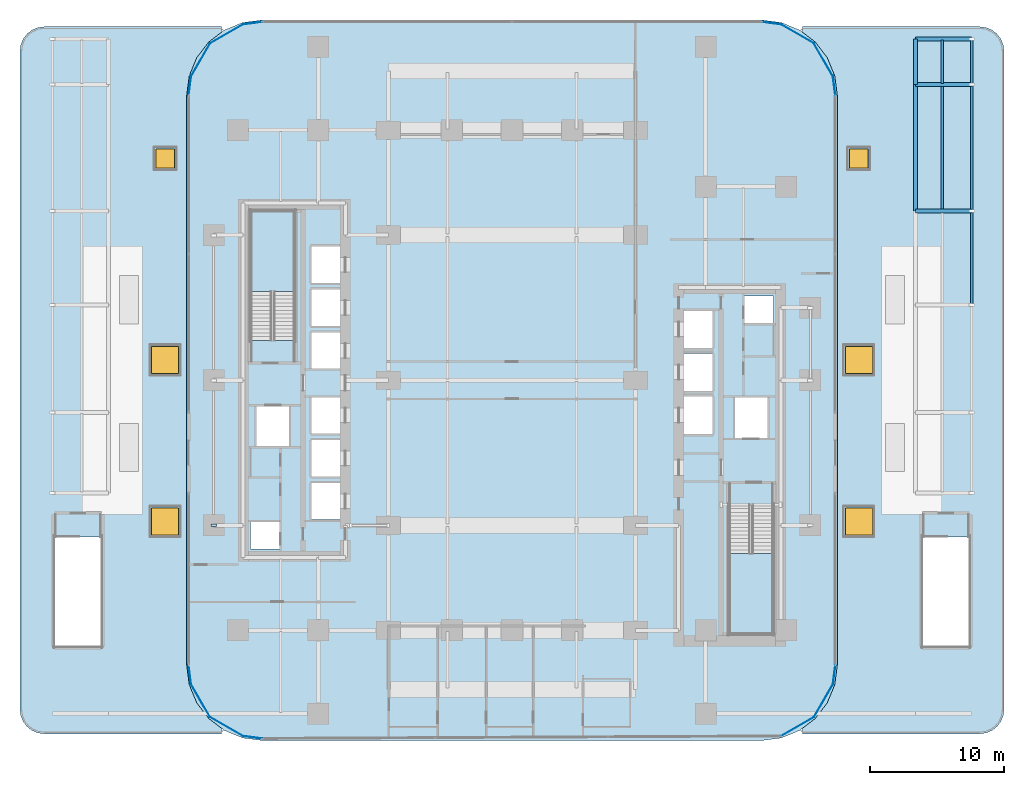
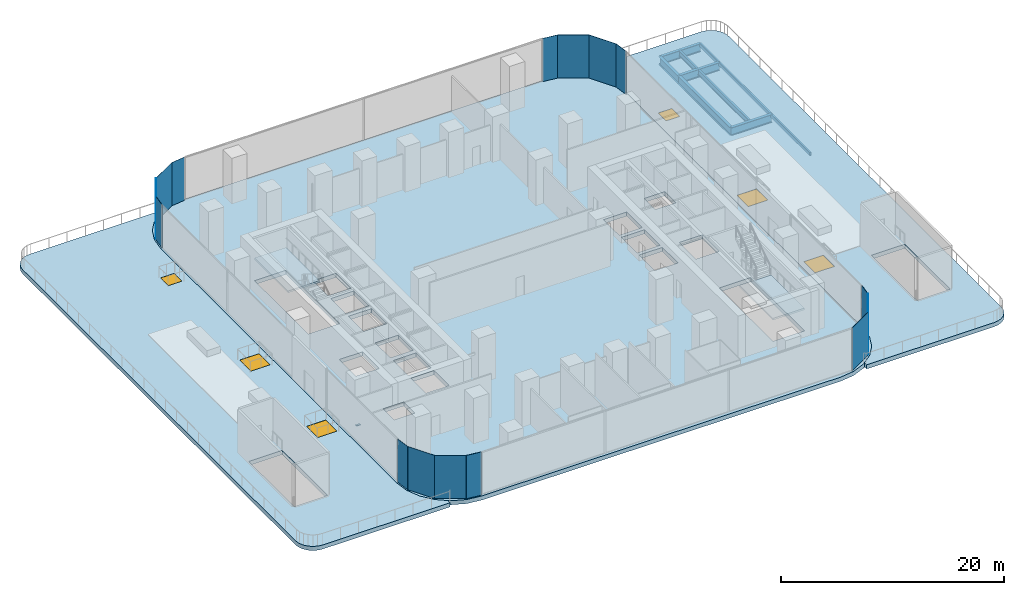
# One storey, part 3 of 21: 16 plates, 10 beams, 6 windows, 5 slabs, 6 openings, 2 elements without a shape of their own.
"""IFC4 building model written with IfcOpenShell, lengths in metres."""

import ifcopenshell
import ifcopenshell.guid

model = None  # the IFC model being written
_history = None  # IfcOwnerHistory: only IFC2X3 demands one
_inside = {}  # id of a spatial element -> (the spatial element, [elements in it])
_under = {}  # id of a project, library or spatial element -> (it, [spatial elements below it])
_declared = {}  # id of a project -> (the project, [libraries it declares])
_typed = {}  # id of a type object -> (the type object, [elements of that type])
_made_of = {}  # id of a material, layer set ... -> (it, [elements and type objects made of it])


def new_model(schema):
    """Start an empty IFC model of exactly this schema.

    Asked for "IFC4X3", IfcOpenShell would pick the latest addendum, in which some entities
    have other attributes; the version numbers below select the first issue.
    IFC2X3 requires an IfcOwnerHistory on every rooted entity: one is made here for all.
    """
    global model, _history
    if schema == "IFC4X3":
        model = ifcopenshell.file(schema_version=(4, 3, 0, 0))
    else:
        model = ifcopenshell.file(schema=schema)
    _inside.clear()
    _under.clear()
    _declared.clear()
    _typed.clear()
    _made_of.clear()
    _history = None
    if model.schema == "IFC2X3":
        org = make("IfcOrganization", Name="unknown")
        user = make(
            "IfcPersonAndOrganization",
            ThePerson=make("IfcPerson", FamilyName="unknown"),
            TheOrganization=org,
        )
        app = make(
            "IfcApplication",
            ApplicationDeveloper=org,
            Version="unknown",
            ApplicationFullName="unknown",
            ApplicationIdentifier="unknown",
        )
        _history = make(
            "IfcOwnerHistory",
            OwningUser=user,
            OwningApplication=app,
            ChangeAction="ADDED",
            CreationDate=0,
        )
    return model


def make(cls, **values):
    """One entity of the class cls with the attributes given. An attribute that is None is left unset."""
    return model.create_entity(
        cls, **{name: value for name, value in values.items() if value is not None}
    )


def rooted(cls, **values):
    """An entity with a GlobalId (a new one), such as an element, a storey or a relation."""
    return make(cls, GlobalId=ifcopenshell.guid.new(), OwnerHistory=_history, **values)


def si_unit(unit_type, name, prefix=None):
    """IfcSIUnit, for example si_unit("LENGTHUNIT", "METRE", prefix="MILLI")."""
    return make("IfcSIUnit", UnitType=unit_type, Prefix=prefix, Name=name)


def assignment(units):
    """IfcUnitAssignment: the units of a project."""
    return None if units is None else make("IfcUnitAssignment", Units=units)


def point(xyz):
    """IfcCartesianPoint."""
    return None if xyz is None else make("IfcCartesianPoint", Coordinates=xyz)


def direction(xyz):
    """IfcDirection."""
    return None if xyz is None else make("IfcDirection", DirectionRatios=xyz)


def frame(location, z_axis=None, x_axis=None):
    """IfcAxis2Placement3D, a coordinate frame: its origin and axes. An axis left out is left unset."""
    return make(
        "IfcAxis2Placement3D",
        Location=point(location),
        Axis=direction(z_axis),
        RefDirection=direction(x_axis),
    )


def frame_2d(location, x_axis=None):
    """IfcAxis2Placement2D, a coordinate frame in the plane: its origin and x axis."""
    return make(
        "IfcAxis2Placement2D", Location=point(location), RefDirection=direction(x_axis)
    )


def origin():
    """The frame at (0, 0, 0) with its axes left unset."""
    return frame((0.0, 0.0, 0.0))


def origin_2d():
    """The frame at (0, 0) in the plane with its x axis left unset."""
    return frame_2d((0.0, 0.0))


def place(relative_to, where):
    """IfcLocalPlacement: puts the frame where relative to a parent placement (None: the world)."""
    return make(
        "IfcLocalPlacement", PlacementRelTo=relative_to, RelativePlacement=where
    )


def context(
    kind, dimensions, precision=None, world=None, true_north=None, identifier=None
):
    """IfcGeometricRepresentationContext, for example the 3D "Model" context."""
    return make(
        "IfcGeometricRepresentationContext",
        ContextIdentifier=identifier,
        ContextType=kind,
        CoordinateSpaceDimension=dimensions,
        Precision=precision,
        WorldCoordinateSystem=world,
        TrueNorth=true_north,
    )


def subcontext(parent, identifier, kind, view, scale=None):
    """IfcGeometricRepresentationSubContext, for example "Body" below "Model"."""
    return make(
        "IfcGeometricRepresentationSubContext",
        ContextIdentifier=identifier,
        ContextType=kind,
        ParentContext=parent,
        TargetScale=scale,
        TargetView=view,
    )


def project(units=None, contexts=None):
    """IfcProject with its units and contexts."""
    return rooted(
        "IfcProject",
        Name="project",
        RepresentationContexts=contexts,
        UnitsInContext=assignment(units),
    )


def spatial(cls, under=None, at=None, **own):
    """A site, building, storey or space (cls), placed at a placement, below another one or the project."""
    s = rooted(cls, ObjectPlacement=at, **own)
    if under is not None:
        _under.setdefault(under.id(), (under, []))[1].append(s)
    return s


def polyline(points):
    """IfcPolyline through the points."""
    return make("IfcPolyline", Points=[point(p) for p in points])


def profile(cls, at=None, kind="AREA", **sizes):
    """A parametric profile (cls). Its sizes go by their IFC names, for example OverallWidth=200.0."""
    return make(cls, ProfileType=kind, Position=at, **sizes)


def rectangle(**sizes):
    """IfcRectangleProfileDef."""
    return profile("IfcRectangleProfileDef", **sizes)


def hollow_rectangle(**sizes):
    """IfcRectangleHollowProfileDef."""
    return profile("IfcRectangleHollowProfileDef", **sizes)


def i_section(**sizes):
    """IfcIShapeProfileDef."""
    return profile("IfcIShapeProfileDef", **sizes)


def outline(outer, holes=None, kind="AREA"):
    """IfcArbitraryClosedProfileDef: a profile drawn as a closed curve; with holes, ...WithVoids."""
    if holes is None:
        return make("IfcArbitraryClosedProfileDef", ProfileType=kind, OuterCurve=outer)
    return make(
        "IfcArbitraryProfileDefWithVoids",
        ProfileType=kind,
        OuterCurve=outer,
        InnerCurves=holes,
    )


def extrude(swept, where, along, depth):
    """IfcExtrudedAreaSolid: the profile swept, set in the frame where, extruded along a direction by depth."""
    return make(
        "IfcExtrudedAreaSolid",
        SweptArea=swept,
        Position=where,
        ExtrudedDirection=direction(along),
        Depth=depth,
    )


def shape(context_of_items, identifier, shape_type, items):
    """IfcShapeRepresentation: the items that make up one representation, for example the "Body"."""
    return make(
        "IfcShapeRepresentation",
        ContextOfItems=context_of_items,
        RepresentationIdentifier=identifier,
        RepresentationType=shape_type,
        Items=items,
    )


def material(Name=None, Category=None):
    """IfcMaterial."""
    return make("IfcMaterial", Name=Name, Category=Category)


def layer(
    of_material, thickness, ventilated=None, Name=None, Category=None, Priority=None
):
    """IfcMaterialLayer: one layer of a wall or slab, of a material (None: an air gap)."""
    return make(
        "IfcMaterialLayer",
        Material=of_material,
        LayerThickness=thickness,
        IsVentilated=ventilated,
        Name=Name,
        Category=Category,
        Priority=Priority,
    )


def layer_set(layers, Name=None):
    """IfcMaterialLayerSet."""
    return make("IfcMaterialLayerSet", MaterialLayers=layers, LayerSetName=Name)


def material_profile(
    of_material, cross_section, Name=None, Category=None, Priority=None
):
    """IfcMaterialProfile: a cross section and its material."""
    return make(
        "IfcMaterialProfile",
        Name=Name,
        Material=of_material,
        Profile=cross_section,
        Priority=Priority,
        Category=Category,
    )


def profile_set(profiles, Name=None, composite=None):
    """IfcMaterialProfileSet."""
    return make(
        "IfcMaterialProfileSet",
        Name=Name,
        MaterialProfiles=profiles,
        CompositeProfile=composite,
    )


def made_of(thing, what):
    """Note that an element or type object is made of a material, layer set ...; save() writes the relation."""
    if what is not None:
        _made_of.setdefault(what.id(), (what, []))[1].append(thing)
    return thing


def type_object(cls, material=None, **own):
    """A type object (cls), such as IfcWallType, which elements share."""
    return made_of(rooted(cls, **own), material)


def element(
    cls,
    number,
    at=None,
    inside=None,
    cuts=None,
    type_object=None,
    material=None,
    context=None,
    identifier="Body",
    shape_type=None,
    held_by="IfcProductDefinitionShape",
    body=None,
    shapes=None,
    **own,
):
    """One element of the class cls, such as IfcWall. Its Tag is "e" and its number.

    at: its placement. inside: the storey or other place that contains it. cuts: it is an
    opening in that element (IfcRelVoidsElement). A single representation is given by context,
    identifier, shape_type and body (its items); several are given by shapes. held_by: the class
    of the entity that holds the representations. save() writes the other relations.
    """
    e = rooted(cls, Tag="e%d" % number, ObjectPlacement=at, **own)
    if body is not None:
        shapes = [shape(context, identifier, shape_type, body)]
    if shapes is not None:
        e.Representation = make(held_by, Representations=shapes)
    if inside is not None:
        _inside.setdefault(inside.id(), (inside, []))[1].append(e)
    if cuts is not None:
        rooted(
            "IfcRelVoidsElement", RelatingBuildingElement=cuts, RelatedOpeningElement=e
        )
    if type_object is not None:
        _typed.setdefault(type_object.id(), (type_object, []))[1].append(e)
    return made_of(e, material)


def fill(opening, filler):
    """IfcRelFillsElement: the door or window that sits in an opening."""
    return rooted(
        "IfcRelFillsElement",
        RelatingOpeningElement=opening,
        RelatedBuildingElement=filler,
    )


def aggregate(whole, parts):
    """IfcRelAggregates: a whole, such as a stair, and the parts it consists of."""
    return rooted("IfcRelAggregates", RelatingObject=whole, RelatedObjects=parts)


def save(model, path):
    """Write the relations noted so far, then the file.

    IfcRelAggregates (storeys below a building ...), IfcRelContainedInSpatialStructure (elements
    in a storey), IfcRelDefinesByType, IfcRelAssociatesMaterial and IfcRelDeclares: one each for
    every whole, place, type object, material and project.
    """
    for whole, parts in _under.values():
        aggregate(whole, parts)
    for where, things in _inside.values():
        rooted(
            "IfcRelContainedInSpatialStructure",
            RelatedElements=things,
            RelatingStructure=where,
        )
    for kind, things in _typed.values():
        rooted("IfcRelDefinesByType", RelatedObjects=things, RelatingType=kind)
    for what, things in _made_of.values():
        rooted("IfcRelAssociatesMaterial", RelatedObjects=things, RelatingMaterial=what)
    for by, libraries in _declared.values():
        rooted("IfcRelDeclares", RelatingContext=by, RelatedDefinitions=libraries)
    model.write(path)


model = new_model("IFC4")

# Units and contexts
model_context = context("Model", 3, precision=1e-05, world=origin(), true_north=direction((0.0, 1.0)))
body_context = subcontext(model_context, "Body", "Model", "MODEL_VIEW")
ifc_project = project(units=[si_unit("LENGTHUNIT", "METRE"), si_unit("AREAUNIT", "SQUARE_METRE"), si_unit("VOLUMEUNIT", "CUBIC_METRE"), si_unit("PLANEANGLEUNIT", "RADIAN"), si_unit("MASSUNIT", "GRAM", prefix="KILO")], contexts=[model_context])

# Site, building, storey
site_placement = place(None, origin())
site = spatial("IfcSite", under=ifc_project, at=site_placement, CompositionType="ELEMENT")
building_placement = place(site_placement, origin())
building = spatial("IfcBuilding", under=site, at=building_placement, Name="Khairoan Windgate Tower", CompositionType="ELEMENT")
storey_placement = place(building_placement, frame((0.0, 0.0, 21.0)))
storey = spatial("IfcBuildingStorey", under=building, at=storey_placement, Name="L05", CompositionType="ELEMENT", Elevation=21.0)

# Beams
ifc_material_1 = material(Name="Steel S355", Category="steel")
ifc_material_profile_1 = material_profile(ifc_material_1, i_section(OverallWidth=0.300048828125, OverallDepth=0.89990234375, WebThickness=0.01611328125, FlangeThickness=0.028076171875, FilletRadius=0.028076171875, at=origin_2d()))
ifc_profile_set_1 = profile_set([ifc_material_profile_1], Name="Steel S355")
beam_type_1 = type_object("IfcBeamType", Name="Beam B-G1 H900x300x16x28", PredefinedType="BEAM", material=ifc_profile_set_1)
for number, where, z_axis, x_axis, name in (
    (1, (30.0, 12.60009765625, -0.89990234375), (1.0, 0.0, 0.0), (0.0, 1.0, 0.0), "L05 E-W Primary Girder 30"),
    (2, (30.0, 22.0, -0.89990234375), (1.0, 0.0, 0.0), (0.0, 1.0, 0.0), "L05 E-W Primary Girder 37"),
    (3, (30.0, 25.39990234375, -0.89990234375), (1.0, 0.0, 0.0), (0.0, 1.0, 0.0), "L05 E-W Primary Girder 39"),
):
    element("IfcBeam", number, at=place(storey_placement, frame(where, z_axis=z_axis, x_axis=x_axis)), inside=storey, type_object=beam_type_1, Name=name, PredefinedType="BEAM", context=body_context, shape_type="SweptSolid", body=[
        extrude(i_section(OverallWidth=0.300048828125, OverallDepth=0.89990234375, WebThickness=0.01611328125, FlangeThickness=0.028076171875, FilletRadius=0.028076171875, at=origin_2d()), origin(), (0.0, 0.0, 1.0), 4.199951171875),
    ])
beam_1_placement = place(storey_placement, frame((30.0, 12.60009765625, -0.89990234375), z_axis=(0.0, 1.0, 0.0), x_axis=(-1.0, 0.0, 0.0)))
element("IfcBeam", 4, at=beam_1_placement, inside=storey, type_object=beam_type_1, Name="L05 N-S Primary Beam 86", PredefinedType="BEAM", context=body_context, shape_type="SweptSolid", body=[
    extrude(i_section(OverallWidth=0.300048828125, OverallDepth=0.89990234375, WebThickness=0.01611328125, FlangeThickness=0.028076171875, FilletRadius=0.028076171875, at=origin_2d()), origin(), (0.0, 0.0, 1.0), 9.39990234375),
])
beam_2_placement = place(storey_placement, frame((30.0, 22.0, -0.89990234375), z_axis=(0.0, 1.0, 0.0), x_axis=(-1.0, 0.0, 0.0)))
element("IfcBeam", 5, at=beam_2_placement, inside=storey, type_object=beam_type_1, Name="L05 N-S Primary Beam 87", PredefinedType="BEAM", context=body_context, shape_type="SweptSolid", body=[
    extrude(i_section(OverallWidth=0.300048828125, OverallDepth=0.89990234375, WebThickness=0.01611328125, FlangeThickness=0.028076171875, FilletRadius=0.028076171875, at=origin_2d()), origin(), (0.0, 0.0, 1.0), 3.39990234375),
])
ifc_material_2 = material(Name="Steel S355", Category="steel")
ifc_material_profile_2 = material_profile(ifc_material_2, i_section(OverallWidth=0.199951171875, OverallDepth=0.60009765625, WebThickness=0.010986328125, FlangeThickness=0.01708984375, FilletRadius=0.02197265625, at=origin_2d()))
ifc_profile_set_2 = profile_set([ifc_material_profile_2], Name="Steel S355")
beam_type_2 = type_object("IfcBeamType", Name="Beam J-S1 H600x200x11x17", PredefinedType="JOIST", material=ifc_profile_set_2)
beam_3_placement = place(storey_placement, frame((32.0, 12.68994140625, -0.75), z_axis=(0.0, 1.0, 0.0), x_axis=(-1.0, 0.0, 0.0)))
element("IfcBeam", 6, at=beam_3_placement, inside=storey, type_object=beam_type_2, Name="L05 Secondary Floor Joist 25", PredefinedType="JOIST", context=body_context, shape_type="SweptSolid", body=[
    extrude(i_section(OverallWidth=0.199951171875, OverallDepth=0.60009765625, WebThickness=0.010986328125, FlangeThickness=0.01708984375, FilletRadius=0.02197265625, at=origin_2d()), origin(), (0.0, 0.0, 1.0), 9.219970703125),
])
beam_4_placement = place(storey_placement, frame((32.0, 22.090087890625, -0.75), z_axis=(0.0, 1.0, 0.0), x_axis=(-1.0, 0.0, 0.0)))
element("IfcBeam", 7, at=beam_4_placement, inside=storey, type_object=beam_type_2, Name="L05 Secondary Floor Joist 26", PredefinedType="JOIST", context=body_context, shape_type="SweptSolid", body=[
    extrude(i_section(OverallWidth=0.199951171875, OverallDepth=0.60009765625, WebThickness=0.010986328125, FlangeThickness=0.01708984375, FilletRadius=0.02197265625, at=origin_2d()), origin(), (0.0, 0.0, 1.0), 3.219970703125),
])
ifc_material_3 = material(Name="Steel S355", Category="steel")
ifc_material_profile_3 = material_profile(ifc_material_3, hollow_rectangle(XDim=0.199951171875, YDim=0.39990234375, WallThickness=0.013916015625, InnerFilletRadius=0.013916015625, OuterFilletRadius=0.028076171875, at=origin_2d()))
ifc_profile_set_3 = profile_set([ifc_material_profile_3], Name="Steel S355")
beam_type_3 = type_object("IfcBeamType", Name="Beam SP-B1 RHS400x200x14", PredefinedType="SPANDREL", material=ifc_profile_set_3)
beam_5_placement = place(storey_placement, frame((34.199951171875, 5.60009765625, -0.64990234375), z_axis=(0.0, 1.0, 0.0), x_axis=(-1.0, 0.0, 0.0)))
element("IfcBeam", 8, at=beam_5_placement, inside=storey, type_object=beam_type_3, Name="L05 Spandrel Beam 90", PredefinedType="SPANDREL", context=body_context, shape_type="SweptSolid", body=[
    extrude(hollow_rectangle(XDim=0.199951171875, YDim=0.39990234375, WallThickness=0.013916015625, InnerFilletRadius=0.013916015625, OuterFilletRadius=0.028076171875, at=origin_2d()), origin(), (0.0, 0.0, 1.0), 7.0),
])
beam_6_placement = place(storey_placement, frame((34.199951171875, 12.60009765625, -0.64990234375), z_axis=(0.0, 1.0, 0.0), x_axis=(-1.0, 0.0, 0.0)))
element("IfcBeam", 9, at=beam_6_placement, inside=storey, type_object=beam_type_3, Name="L05 Spandrel Beam 91", PredefinedType="SPANDREL", context=body_context, shape_type="SweptSolid", body=[
    extrude(hollow_rectangle(XDim=0.199951171875, YDim=0.39990234375, WallThickness=0.013916015625, InnerFilletRadius=0.013916015625, OuterFilletRadius=0.028076171875, at=origin_2d()), origin(), (0.0, 0.0, 1.0), 9.39990234375),
])
beam_7_placement = place(storey_placement, frame((34.199951171875, 22.0, -0.64990234375), z_axis=(0.0, 1.0, 0.0), x_axis=(-1.0, 0.0, 0.0)))
element("IfcBeam", 10, at=beam_7_placement, inside=storey, type_object=beam_type_3, Name="L05 Spandrel Beam 92", PredefinedType="SPANDREL", context=body_context, shape_type="SweptSolid", body=[
    extrude(hollow_rectangle(XDim=0.199951171875, YDim=0.39990234375, WallThickness=0.013916015625, InnerFilletRadius=0.013916015625, OuterFilletRadius=0.028076171875, at=origin_2d()), origin(), (0.0, 0.0, 1.0), 3.39990234375),
])

# Plates
ifc_material_4 = material(Name="Low-E Solar Control Laminated Glass", Category="glass")
ifc_layer_1 = layer(ifc_material_4, 0.030029296875, Name="Low-E Solar Control Laminated Glass")
ifc_layer_set_1 = layer_set([ifc_layer_1], Name="Low-E Solar Control Laminated Glass")
plate_type_1 = type_object("IfcPlateType", Name="Aerodynamic Wind-Corner Curved Glazing Plate", PredefinedType="USERDEFINED", material=ifc_layer_set_1)
plate_1_placement = place(storey_placement, frame((-19.302001953125, -26.56640625, 0.0), z_axis=(0.0, 0.0, 1.0), x_axis=(-0.991444861374, 0.13052619222, 0.0)))
element("IfcPlate", 11, at=plate_1_placement, inside=storey, type_object=plate_type_1, Name="L05 Aerodynamic Wind-Corner Curved Glazing Panel 2", ObjectType="GLAZING PANEL", PredefinedType="USERDEFINED", context=body_context, shape_type="SweptSolid", body=[
    extrude(rectangle(XDim=1.474365234375, YDim=0.028076171875, at=origin_2d()), origin(), (0.0, 0.0, 1.0), 4.739990234375),
])
for number, where, z_axis, x_axis, name in (
    (12, (-21.236328125, -25.766357421875, 0.0), (0.0, 0.0, 1.0), (-0.866025403784, 0.5, 0.0), "L05 Aerodynamic Wind-Corner Curved Glazing Panel 3"),
    (13, (-23.16650390625, -23.83642578125, 0.0), (0.0, 0.0, 1.0), (-0.5, 0.866025403784, 0.0), "L05 Aerodynamic Wind-Corner Curved Glazing Panel 4"),
):
    element("IfcPlate", number, at=place(storey_placement, frame(where, z_axis=z_axis, x_axis=x_axis)), inside=storey, type_object=plate_type_1, Name=name, ObjectType="GLAZING PANEL", PredefinedType="USERDEFINED", context=body_context, shape_type="SweptSolid", body=[
        extrude(rectangle(XDim=2.86572265625, YDim=0.028076171875, at=origin_2d()), origin(), (0.0, 0.0, 1.0), 4.739990234375),
    ])
for number, where, z_axis, x_axis, name in (
    (14, (-23.96630859375, -21.90185546875, 0.0), (0.0, 0.0, 1.0), (-0.13052619222, 0.991444861374, 0.0), "L05 Aerodynamic Wind-Corner Curved Glazing Panel 5"),
    (15, (-23.96630859375, 21.90185546875, 0.0), (0.0, 0.0, 1.0), (0.13052619222, 0.991444861374, 0.0), "L05 Aerodynamic Wind-Corner Curved Glazing Panel 7"),
):
    element("IfcPlate", number, at=place(storey_placement, frame(where, z_axis=z_axis, x_axis=x_axis)), inside=storey, type_object=plate_type_1, Name=name, ObjectType="GLAZING PANEL", PredefinedType="USERDEFINED", context=body_context, shape_type="SweptSolid", body=[
        extrude(rectangle(XDim=1.474365234375, YDim=0.028076171875, at=origin_2d()), origin(), (0.0, 0.0, 1.0), 4.739990234375),
    ])
for number, where, z_axis, x_axis, name in (
    (16, (-23.16650390625, 23.83642578125, 0.0), (0.0, 0.0, 1.0), (0.5, 0.866025403784, 0.0), "L05 Aerodynamic Wind-Corner Curved Glazing Panel 8"),
    (17, (-21.236328125, 25.766357421875, 0.0), (0.0, 0.0, 1.0), (0.866025403784, 0.5, 0.0), "L05 Aerodynamic Wind-Corner Curved Glazing Panel 9"),
):
    element("IfcPlate", number, at=place(storey_placement, frame(where, z_axis=z_axis, x_axis=x_axis)), inside=storey, type_object=plate_type_1, Name=name, ObjectType="GLAZING PANEL", PredefinedType="USERDEFINED", context=body_context, shape_type="SweptSolid", body=[
        extrude(rectangle(XDim=2.86572265625, YDim=0.028076171875, at=origin_2d()), origin(), (0.0, 0.0, 1.0), 4.739990234375),
    ])
for number, where, z_axis, x_axis, name in (
    (18, (-19.302001953125, 26.56640625, 0.0), (0.0, 0.0, 1.0), (0.991444861374, 0.13052619222, 0.0), "L05 Aerodynamic Wind-Corner Curved Glazing Panel 10"),
    (19, (19.302001953125, 26.56640625, 0.0), (0.0, 0.0, 1.0), (0.991444861374, -0.13052619222, 0.0), "L05 Aerodynamic Wind-Corner Curved Glazing Panel 12"),
):
    element("IfcPlate", number, at=place(storey_placement, frame(where, z_axis=z_axis, x_axis=x_axis)), inside=storey, type_object=plate_type_1, Name=name, ObjectType="GLAZING PANEL", PredefinedType="USERDEFINED", context=body_context, shape_type="SweptSolid", body=[
        extrude(rectangle(XDim=1.474365234375, YDim=0.028076171875, at=origin_2d()), origin(), (0.0, 0.0, 1.0), 4.739990234375),
    ])
for number, where, z_axis, x_axis, name in (
    (20, (21.236328125, 25.766357421875, 0.0), (0.0, 0.0, 1.0), (0.866025403784, -0.5, 0.0), "L05 Aerodynamic Wind-Corner Curved Glazing Panel 13"),
    (21, (23.16650390625, 23.83642578125, 0.0), (0.0, 0.0, 1.0), (0.5, -0.866025403784, 0.0), "L05 Aerodynamic Wind-Corner Curved Glazing Panel 14"),
):
    element("IfcPlate", number, at=place(storey_placement, frame(where, z_axis=z_axis, x_axis=x_axis)), inside=storey, type_object=plate_type_1, Name=name, ObjectType="GLAZING PANEL", PredefinedType="USERDEFINED", context=body_context, shape_type="SweptSolid", body=[
        extrude(rectangle(XDim=2.86572265625, YDim=0.028076171875, at=origin_2d()), origin(), (0.0, 0.0, 1.0), 4.739990234375),
    ])
for number, where, z_axis, x_axis, name in (
    (22, (23.96630859375, 21.90185546875, 0.0), (0.0, 0.0, 1.0), (0.13052619222, -0.991444861374, 0.0), "L05 Aerodynamic Wind-Corner Curved Glazing Panel 15"),
    (23, (23.96630859375, -21.90185546875, 0.0), (0.0, 0.0, 1.0), (-0.13052619222, -0.991444861374, 0.0), "L05 Aerodynamic Wind-Corner Curved Glazing Panel 17"),
):
    element("IfcPlate", number, at=place(storey_placement, frame(where, z_axis=z_axis, x_axis=x_axis)), inside=storey, type_object=plate_type_1, Name=name, ObjectType="GLAZING PANEL", PredefinedType="USERDEFINED", context=body_context, shape_type="SweptSolid", body=[
        extrude(rectangle(XDim=1.474365234375, YDim=0.028076171875, at=origin_2d()), origin(), (0.0, 0.0, 1.0), 4.739990234375),
    ])
for number, where, z_axis, x_axis, name in (
    (24, (23.16650390625, -23.83642578125, 0.0), (0.0, 0.0, 1.0), (-0.5, -0.866025403784, 0.0), "L05 Aerodynamic Wind-Corner Curved Glazing Panel 18"),
    (25, (21.236328125, -25.766357421875, 0.0), (0.0, 0.0, 1.0), (-0.866025403784, -0.5, 0.0), "L05 Aerodynamic Wind-Corner Curved Glazing Panel 19"),
):
    element("IfcPlate", number, at=place(storey_placement, frame(where, z_axis=z_axis, x_axis=x_axis)), inside=storey, type_object=plate_type_1, Name=name, ObjectType="GLAZING PANEL", PredefinedType="USERDEFINED", context=body_context, shape_type="SweptSolid", body=[
        extrude(rectangle(XDim=2.86572265625, YDim=0.028076171875, at=origin_2d()), origin(), (0.0, 0.0, 1.0), 4.739990234375),
    ])
ifc_material_5 = material(Name="Steel S355", Category="steel")
ifc_layer_2 = layer(ifc_material_5, 0.0400390625, Name="Steel S355")
ifc_layer_set_2 = layer_set([ifc_layer_2], Name="Steel S355")
plate_type_2 = type_object("IfcPlateType", Name="Hollow Section End-Cap Plate PL-CAP40", PredefinedType="SHEET", material=ifc_layer_set_2)
plate_2_placement = place(storey_placement, frame((-22.199951171875, -10.784912109375, -0.669921875), z_axis=(0.0, 0.0, 1.0), x_axis=(0.0, 1.0, 0.0)))
element("IfcPlate", 26, at=plate_2_placement, inside=storey, type_object=plate_type_2, Name="BM-SP-L05-050 steel end-cap plate 1", PredefinedType="SHEET", context=body_context, shape_type="SweptSolid", body=[
    extrude(rectangle(XDim=0.219970703125, YDim=0.419921875, at=origin_2d()), origin(), (0.0, 0.0, 1.0), 0.0400390625),
])

# Slab, openings, windows
ifc_material_6 = material(Name="Concrete C40/50", Category="concrete")
ifc_layer_3 = layer(ifc_material_6, 0.300048828125, Name="Concrete C40/50")
ifc_layer_set_3 = layer_set([ifc_layer_3], Name="Concrete C40/50")
slab_type_1 = type_object("IfcSlabType", Name="Podium Terrace Roof Slab RS1 300mm", PredefinedType="ROOF", material=ifc_layer_set_3)
slab_1_placement = place(storey_placement, frame((0.0, 0.0, -0.449951171875)))
slab_1 = element("IfcSlab", 27, at=slab_1_placement, inside=storey, type_object=slab_type_1, Name="West Podium Roof Garden Terrace", PredefinedType="ROOF", context=body_context, shape_type="SweptSolid", body=[
    extrude(outline(polyline([(-35.699951171875, -26.058837890625), (-35.265869140625, -26.23876953125), (-34.800048828125, -26.300048828125), (-21.60009765625, -26.300048828125), (-21.60009765625, -25.896240234375), (-22.559814453125, -25.159912109375), (-23.44970703125, -24.0), (-24.00927734375, -22.6494140625), (-24.199951171875, -21.199951171875), (-24.199951171875, 21.199951171875), (-24.00927734375, 22.6494140625), (-23.44970703125, 24.0), (-22.559814453125, 25.159912109375), (-21.60009765625, 25.896240234375), (-21.60009765625, 26.300048828125), (-34.800048828125, 26.300048828125), (-35.265869140625, 26.23876953125), (-35.699951171875, 26.058837890625), (-36.07275390625, 25.772705078125), (-36.35888671875, 25.39990234375), (-36.538818359375, 24.9658203125), (-36.60009765625, 24.5), (-36.60009765625, -24.5), (-36.538818359375, -24.9658203125), (-36.35888671875, -25.39990234375), (-36.07275390625, -25.772705078125), (-35.699951171875, -26.058837890625)]), holes=[polyline([(-34.02001953125, -11.659912109375), (-34.02001953125, -19.800048828125), (-30.550048828125, -19.800048828125), (-30.550048828125, -11.659912109375), (-34.02001953125, -11.659912109375)])]), origin(), (0.0, 0.0, 1.0), 0.449951171875),
])
opening_1_placement = place(slab_1_placement, frame((-25.800048828125, -10.5, -0.010009765625)))
opening_1 = element("IfcOpeningElement", 28, at=opening_1_placement, cuts=slab_1, Name="Opening SK-01", PredefinedType="OPENING", context=body_context, shape_type="SweptSolid", body=[
    extrude(rectangle(XDim=2.0, YDim=2.0, at=origin_2d()), origin(), (0.0, 0.0, 1.0), 0.469970703125),
])
opening_2_placement = place(slab_1_placement, frame((-25.800048828125, 1.5, -0.010009765625)))
opening_2 = element("IfcOpeningElement", 29, at=opening_2_placement, cuts=slab_1, Name="Opening SK-01", PredefinedType="OPENING", context=body_context, shape_type="SweptSolid", body=[
    extrude(rectangle(XDim=2.0, YDim=2.0, at=origin_2d()), origin(), (0.0, 0.0, 1.0), 0.469970703125),
])
opening_3_placement = place(slab_1_placement, frame((-25.800048828125, 16.5, -0.010009765625)))
opening_3 = element("IfcOpeningElement", 30, at=opening_3_placement, cuts=slab_1, Name="Opening SK-02", PredefinedType="OPENING", context=body_context, shape_type="SweptSolid", body=[
    extrude(rectangle(XDim=1.39990234375, YDim=1.39990234375, at=origin_2d()), origin(), (0.0, 0.0, 1.0), 0.469970703125),
])
ifc_material_7 = material(Name="Low-E Solar Control Laminated Glass", Category="glass")
window_type_1 = type_object("IfcWindowType", Name="Window SK-01 2000x2000", PartitioningType="SINGLE_PANEL", PredefinedType="SKYLIGHT", material=ifc_material_7)
window_1_placement = place(opening_1_placement, frame((0.0, 0.0, 0.419921875)))
window_1 = element("IfcWindow", 31, at=window_1_placement, inside=storey, type_object=window_type_1, Name="Podium Congress Roof Skylight 01", OverallHeight=2.0, OverallWidth=2.0, PartitioningType="SINGLE_PANEL", PredefinedType="SKYLIGHT", context=body_context, shape_type="SweptSolid", body=[
    extrude(rectangle(XDim=2.0, YDim=2.0, at=origin_2d()), origin(), (0.0, 0.0, 1.0), 0.030029296875),
])
fill(opening_1, window_1)
window_2_placement = place(opening_2_placement, frame((0.0, 0.0, 0.419921875)))
window_2 = element("IfcWindow", 32, at=window_2_placement, inside=storey, type_object=window_type_1, Name="Podium Congress Roof Skylight 02", OverallHeight=2.0, OverallWidth=2.0, PartitioningType="SINGLE_PANEL", PredefinedType="SKYLIGHT", context=body_context, shape_type="SweptSolid", body=[
    extrude(rectangle(XDim=2.0, YDim=2.0, at=origin_2d()), origin(), (0.0, 0.0, 1.0), 0.030029296875),
])
fill(opening_2, window_2)
ifc_material_8 = material(Name="Low-E Solar Control Laminated Glass", Category="glass")
window_type_2 = type_object("IfcWindowType", Name="Window SK-02 1400x1400", PartitioningType="SINGLE_PANEL", PredefinedType="SKYLIGHT", material=ifc_material_8)
window_3_placement = place(opening_3_placement, frame((0.0, 0.0, 0.419921875)))
window_3 = element("IfcWindow", 33, at=window_3_placement, inside=storey, type_object=window_type_2, Name="Podium Congress Roof Skylight 03", OverallHeight=1.39990234375, OverallWidth=1.39990234375, PartitioningType="SINGLE_PANEL", PredefinedType="SKYLIGHT", context=body_context, shape_type="SweptSolid", body=[
    extrude(rectangle(XDim=1.39990234375, YDim=1.39990234375, at=origin_2d()), origin(), (0.0, 0.0, 1.0), 0.030029296875),
])
fill(opening_3, window_3)

slab_2_placement = place(storey_placement, frame((0.0, 0.0, -0.449951171875)))
slab_2 = element("IfcSlab", 34, at=slab_2_placement, inside=storey, type_object=slab_type_1, Name="East Podium Roof Garden Terrace", PredefinedType="ROOF", context=body_context, shape_type="SweptSolid", body=[
    extrude(outline(polyline([(35.699951171875, 26.058837890625), (35.265869140625, 26.23876953125), (34.800048828125, 26.300048828125), (21.60009765625, 26.300048828125), (21.60009765625, 25.896240234375), (22.559814453125, 25.159912109375), (23.44970703125, 24.0), (24.00927734375, 22.6494140625), (24.199951171875, 21.199951171875), (24.199951171875, -21.199951171875), (24.00927734375, -22.6494140625), (23.44970703125, -24.0), (22.559814453125, -25.159912109375), (21.60009765625, -25.896240234375), (21.60009765625, -26.300048828125), (34.800048828125, -26.300048828125), (35.265869140625, -26.23876953125), (35.699951171875, -26.058837890625), (36.07275390625, -25.772705078125), (36.35888671875, -25.39990234375), (36.538818359375, -24.9658203125), (36.60009765625, -24.5), (36.60009765625, 24.5), (36.538818359375, 24.9658203125), (36.35888671875, 25.39990234375), (36.07275390625, 25.772705078125), (35.699951171875, 26.058837890625)]), holes=[polyline([(30.550048828125, -11.659912109375), (30.550048828125, -19.800048828125), (34.02001953125, -19.800048828125), (34.02001953125, -11.659912109375), (30.550048828125, -11.659912109375)])]), origin(), (0.0, 0.0, 1.0), 0.449951171875),
])
opening_4_placement = place(slab_2_placement, frame((25.800048828125, -10.5, -0.010009765625)))
opening_4 = element("IfcOpeningElement", 35, at=opening_4_placement, cuts=slab_2, Name="Opening SK-01", PredefinedType="OPENING", context=body_context, shape_type="SweptSolid", body=[
    extrude(rectangle(XDim=2.0, YDim=2.0, at=origin_2d()), origin(), (0.0, 0.0, 1.0), 0.469970703125),
])
opening_5_placement = place(slab_2_placement, frame((25.800048828125, 1.5, -0.010009765625)))
opening_5 = element("IfcOpeningElement", 36, at=opening_5_placement, cuts=slab_2, Name="Opening SK-01", PredefinedType="OPENING", context=body_context, shape_type="SweptSolid", body=[
    extrude(rectangle(XDim=2.0, YDim=2.0, at=origin_2d()), origin(), (0.0, 0.0, 1.0), 0.469970703125),
])
opening_6_placement = place(slab_2_placement, frame((25.800048828125, 16.5, -0.010009765625)))
opening_6 = element("IfcOpeningElement", 37, at=opening_6_placement, cuts=slab_2, Name="Opening SK-02", PredefinedType="OPENING", context=body_context, shape_type="SweptSolid", body=[
    extrude(rectangle(XDim=1.39990234375, YDim=1.39990234375, at=origin_2d()), origin(), (0.0, 0.0, 1.0), 0.469970703125),
])
window_4_placement = place(opening_4_placement, frame((0.0, 0.0, 0.419921875)))
window_4 = element("IfcWindow", 38, at=window_4_placement, inside=storey, type_object=window_type_1, Name="Podium Congress Roof Skylight 04", OverallHeight=2.0, OverallWidth=2.0, PartitioningType="SINGLE_PANEL", PredefinedType="SKYLIGHT", context=body_context, shape_type="SweptSolid", body=[
    extrude(rectangle(XDim=2.0, YDim=2.0, at=origin_2d()), origin(), (0.0, 0.0, 1.0), 0.030029296875),
])
fill(opening_4, window_4)
window_5_placement = place(opening_5_placement, frame((0.0, 0.0, 0.419921875)))
window_5 = element("IfcWindow", 39, at=window_5_placement, inside=storey, type_object=window_type_1, Name="Podium Congress Roof Skylight 05", OverallHeight=2.0, OverallWidth=2.0, PartitioningType="SINGLE_PANEL", PredefinedType="SKYLIGHT", context=body_context, shape_type="SweptSolid", body=[
    extrude(rectangle(XDim=2.0, YDim=2.0, at=origin_2d()), origin(), (0.0, 0.0, 1.0), 0.030029296875),
])
fill(opening_5, window_5)
window_6_placement = place(opening_6_placement, frame((0.0, 0.0, 0.419921875)))
window_6 = element("IfcWindow", 40, at=window_6_placement, inside=storey, type_object=window_type_2, Name="Podium Congress Roof Skylight 06", OverallHeight=1.39990234375, OverallWidth=1.39990234375, PartitioningType="SINGLE_PANEL", PredefinedType="SKYLIGHT", context=body_context, shape_type="SweptSolid", body=[
    extrude(rectangle(XDim=1.39990234375, YDim=1.39990234375, at=origin_2d()), origin(), (0.0, 0.0, 1.0), 0.030029296875),
])
fill(opening_6, window_6)

# Stair, slab
ifc_material_9 = material(Name="Concrete C40/50", Category="concrete")
stair_type = type_object("IfcStairType", Name="Tower Core Dog-Leg Stair ST-T1 1560mm", PredefinedType="HALF_TURN_STAIR", material=ifc_material_9)
stair_1_placement = place(storey_placement, origin())
stair_1 = element("IfcStair", 41, at=stair_1_placement, inside=storey, type_object=stair_type, Name="L05 Stair ST1", PredefinedType="HALF_TURN_STAIR")
ifc_material_10 = material(Name="Concrete C40/50", Category="concrete")
ifc_layer_4 = layer(ifc_material_10, 0.199951171875, Name="Concrete C40/50")
ifc_layer_set_4 = layer_set([ifc_layer_4], Name="Concrete C40/50")
slab_type_2 = type_object("IfcSlabType", Name="Reinforced Concrete Stair Landing Slab STL-200", PredefinedType="LANDING", material=ifc_layer_set_4)
slab_3_placement = place(storey_placement, frame((0.0, 0.0, 2.300048828125)))
slab_3 = element("IfcSlab", 42, at=slab_3_placement, type_object=slab_type_2, Name="ST1 landing 1", PredefinedType="LANDING", context=body_context, shape_type="SweptSolid", body=[
    extrude(outline(polyline([(16.14990234375, -12.89990234375), (16.14990234375, -18.89990234375), (19.419921875, -18.89990234375), (19.419921875, -12.89990234375), (16.14990234375, -12.89990234375)])), origin(), (0.0, 0.0, 1.0), 0.199951171875),
])
aggregate(stair_1, [slab_3])

stair_2_placement = place(storey_placement, origin())
stair_2 = element("IfcStair", 43, at=stair_2_placement, inside=storey, type_object=stair_type, Name="L05 Stair ST2", PredefinedType="HALF_TURN_STAIR")
slab_4_placement = place(storey_placement, frame((0.0, 0.0, 2.300048828125)))
slab_4 = element("IfcSlab", 44, at=slab_4_placement, type_object=slab_type_2, Name="ST2 landing 1", PredefinedType="LANDING", context=body_context, shape_type="SweptSolid", body=[
    extrude(outline(polyline([(-16.14990234375, 6.60009765625), (-16.14990234375, 12.60009765625), (-19.419921875, 12.60009765625), (-19.419921875, 6.60009765625), (-16.14990234375, 6.60009765625)])), origin(), (0.0, 0.0, 1.0), 0.199951171875),
])
aggregate(stair_2, [slab_4])

# Slab
ifc_material_11 = material(Name="Concrete C50/60", Category="concrete")
ifc_layer_5 = layer(ifc_material_11, 0.449951171875, Name="Concrete C50/60")
ifc_layer_set_5 = layer_set([ifc_layer_5], Name="Concrete C50/60")
slab_type_3 = type_object("IfcSlabType", Name="Transfer Deck Slab TS1 450mm", PredefinedType="FLOOR", material=ifc_layer_set_5)
slab_5_placement = place(storey_placement, frame((0.0, 0.0, -0.449951171875)))
element("IfcSlab", 45, at=slab_5_placement, inside=storey, type_object=slab_type_3, Name="L05 Structural Floor Slab", PredefinedType="FLOOR", context=body_context, shape_type="SweptSolid", body=[
    extrude(outline(polyline([(18.60009765625, -26.800048828125), (20.04931640625, -26.609130859375), (21.39990234375, -26.0498046875), (22.559814453125, -25.159912109375), (23.44970703125, -24.0), (24.00927734375, -22.6494140625), (24.199951171875, -21.199951171875), (24.199951171875, 21.199951171875), (24.00927734375, 22.6494140625), (23.44970703125, 24.0), (22.559814453125, 25.159912109375), (21.39990234375, 26.0498046875), (20.04931640625, 26.609130859375), (18.60009765625, 26.800048828125), (-18.60009765625, 26.800048828125), (-20.04931640625, 26.609130859375), (-21.39990234375, 26.0498046875), (-22.559814453125, 25.159912109375), (-23.44970703125, 24.0), (-24.00927734375, 22.6494140625), (-24.199951171875, 21.199951171875), (-24.199951171875, -21.199951171875), (-24.00927734375, -22.6494140625), (-23.44970703125, -24.0), (-22.559814453125, -25.159912109375), (-21.39990234375, -26.0498046875), (-20.04931640625, -26.609130859375), (-18.60009765625, -26.800048828125), (18.60009765625, -26.800048828125)]), holes=[polyline([(16.14990234375, -9.260009765625), (16.14990234375, -18.89990234375), (19.419921875, -18.89990234375), (19.419921875, -9.260009765625), (16.14990234375, -9.260009765625)]), polyline([(-16.14990234375, 2.9599609375), (-16.14990234375, 12.60009765625), (-19.419921875, 12.60009765625), (-19.419921875, 2.9599609375), (-16.14990234375, 2.9599609375)]), polyline([(-14.89990234375, 7.25), (-12.5, 7.25), (-12.5, 9.949951171875), (-14.89990234375, 9.949951171875), (-14.89990234375, 7.25)]), polyline([(-14.89990234375, 4.050048828125), (-12.5, 4.050048828125), (-12.5, 6.75), (-14.89990234375, 6.75), (-14.89990234375, 4.050048828125)]), polyline([(-14.89990234375, 0.85009765625), (-12.5, 0.85009765625), (-12.5, 3.550048828125), (-14.89990234375, 3.550048828125), (-14.89990234375, 0.85009765625)]), polyline([(-14.89990234375, -3.949951171875), (-12.5, -3.949951171875), (-12.5, -1.25), (-14.89990234375, -1.25), (-14.89990234375, -3.949951171875)]), polyline([(-14.89990234375, -7.14990234375), (-12.5, -7.14990234375), (-12.5, -4.449951171875), (-14.89990234375, -4.449951171875), (-14.89990234375, -7.14990234375)]), polyline([(-14.89990234375, -10.35009765625), (-12.5, -10.35009765625), (-12.5, -7.64990234375), (-14.89990234375, -7.64990234375), (-14.89990234375, -10.35009765625)]), polyline([(12.5, 2.39990234375), (14.89990234375, 2.39990234375), (14.89990234375, 5.199951171875), (12.5, 5.199951171875), (12.5, 2.39990234375)]), polyline([(12.5, -0.800048828125), (14.89990234375, -0.800048828125), (14.89990234375, 2.0), (12.5, 2.0), (12.5, -0.800048828125)]), polyline([(12.5, -4.0), (14.89990234375, -4.0), (14.89990234375, -1.199951171875), (12.5, -1.199951171875), (12.5, -4.0)]), polyline([(16.60009765625, -4.300048828125), (19.0, -4.300048828125), (19.0, -1.300048828125), (16.60009765625, -1.300048828125), (16.60009765625, -4.300048828125)]), polyline([(-19.0, -4.89990234375), (-16.60009765625, -4.89990234375), (-16.60009765625, -1.89990234375), (-19.0, -1.89990234375), (-19.0, -4.89990234375)]), polyline([(-19.449951171875, -12.550048828125), (-17.31005859375, -12.550048828125), (-17.31005859375, -10.550048828125), (-19.449951171875, -10.550048828125), (-19.449951171875, -12.550048828125)]), polyline([(17.31005859375, 4.25), (19.449951171875, 4.25), (19.449951171875, 6.25), (17.31005859375, 6.25), (17.31005859375, 4.25)])]), origin(), (0.0, 0.0, 1.0), 0.449951171875),
])

save(model, "model.ifc")
